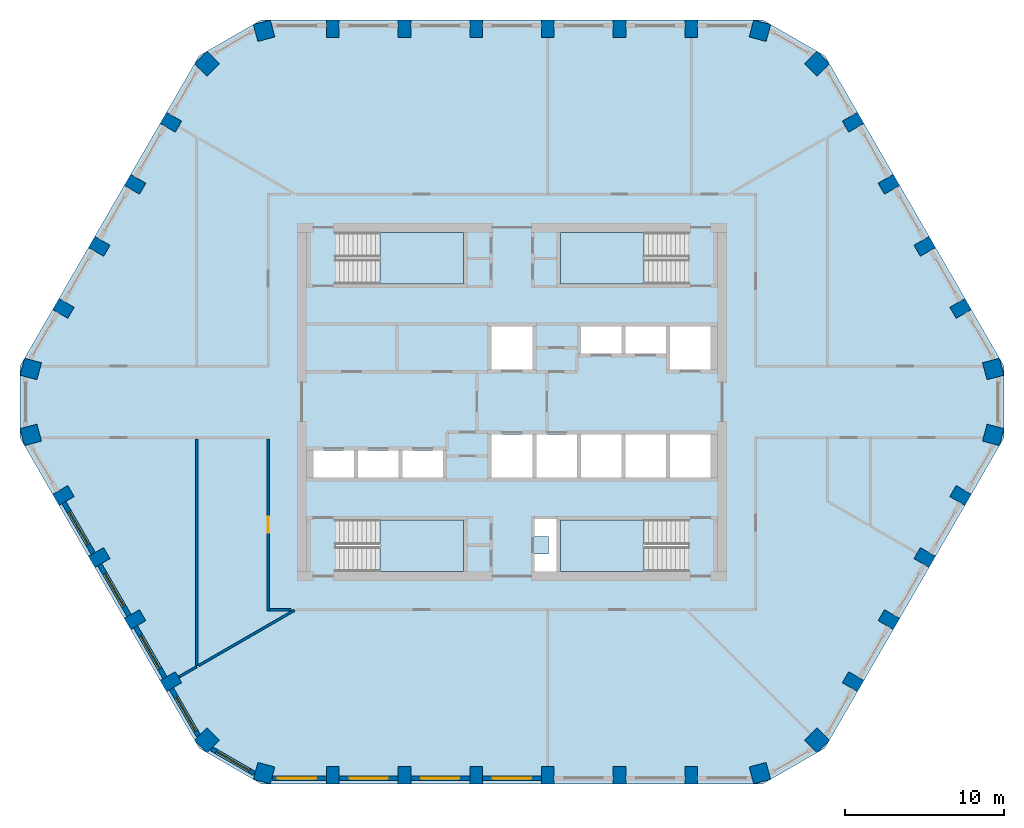
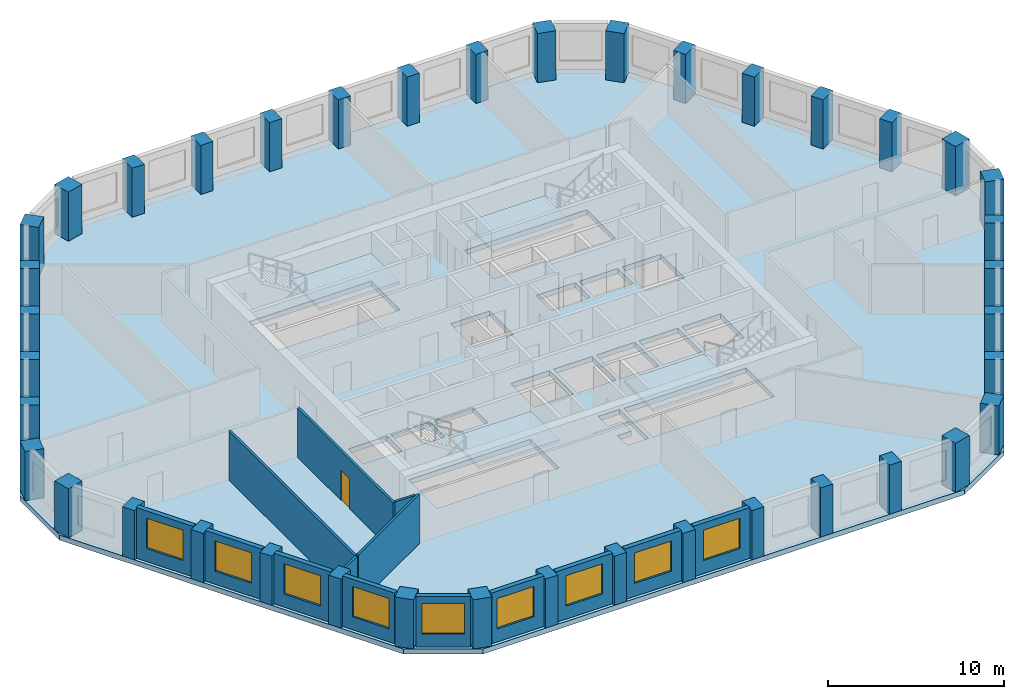
# One storey, part 1 of 8: 40 columns, 14 walls, 9 windows, 5 slabs, 1 door, 10 openings, 4 elements without a shape of their own.
"""IFC4 building model written with IfcOpenShell, lengths in metres."""

from ifc_helpers import new_model, si_unit, direction, frame, frame_2d, origin, origin_2d, place, context, subcontext, project, spatial, polyline, rectangle, outline, extrude, material, layer, layer_set, material_profile, profile_set, type_object, element, fill, aggregate, save


model = new_model("IFC4")

# Units and contexts
model_context = context("Model", 3, precision=1e-05, world=origin(), true_north=direction((0.0, 1.0)))
body_context = subcontext(model_context, "Body", "Model", "MODEL_VIEW")
ifc_project = project(units=[si_unit("LENGTHUNIT", "METRE"), si_unit("AREAUNIT", "SQUARE_METRE"), si_unit("VOLUMEUNIT", "CUBIC_METRE"), si_unit("PLANEANGLEUNIT", "RADIAN"), si_unit("MASSUNIT", "GRAM", prefix="KILO")], contexts=[model_context])

# Site, building, storey
site_placement = place(None, origin())
site = spatial("IfcSite", under=ifc_project, at=site_placement, CompositionType="ELEMENT")
building_placement = place(site_placement, origin())
building = spatial("IfcBuilding", under=site, at=building_placement, Name="Dhurran Vertical Campus", CompositionType="ELEMENT")
storey_placement = place(building_placement, frame((0.0, 0.0, 226.800048828125)))
storey = spatial("IfcBuildingStorey", under=building, at=storey_placement, Name="L56", CompositionType="ELEMENT", Elevation=226.800048828125)

# Columns
ifc_material_1 = material(Name="Concrete C50/60", Category="concrete")
ifc_material_profile_1 = material_profile(ifc_material_1, rectangle(XDim=1.10009765625, YDim=1.10009765625, at=origin_2d()), Name="RC 1100x1100")
ifc_profile_set_1 = profile_set([ifc_material_profile_1], Name="Concrete C50/60")
column_type_1 = type_object("IfcColumnType", Name="FR COL RC 1100x1100 C50/60", PredefinedType="COLUMN", material=ifc_profile_set_1)
for number, where, z_axis, x_axis, name in (
    (1, (-15.569580078125, -23.31201171875, 0.0), (0.0, 0.0, 1.0), (0.965925826289, -0.258819045103, 0.0), "Perimeter pier PP4.00"),
    (2, (15.569580078125, -23.31201171875, 0.0), (0.0, 0.0, 1.0), (0.965925826289, 0.258819045103, 0.0), "Perimeter pier PP4.07"),
    (3, (19.154052734375, -21.242431640625, 0.0), (0.0, 0.0, 1.0), (0.707106781187, 0.707106781187, 0.0), "Perimeter pier PP4.08"),
    (4, (30.223388671875, -2.069580078125, 0.0), (0.0, 0.0, 1.0), (0.258819045103, 0.965925826289, 0.0), "Perimeter pier PP4.13"),
    (5, (30.223388671875, 2.069580078125, 0.0), (0.0, 0.0, 1.0), (-0.258819045103, 0.965925826289, 0.0), "Perimeter pier PP4.14"),
    (6, (19.154052734375, 21.242431640625, 0.0), (0.0, 0.0, 1.0), (-0.707106781187, 0.707106781187, 0.0), "Perimeter pier PP4.19"),
    (7, (15.569580078125, 23.31201171875, 0.0), (0.0, 0.0, 1.0), (-0.965925826289, 0.258819045103, 0.0), "Perimeter pier PP4.20"),
    (8, (-15.569580078125, 23.31201171875, 0.0), (0.0, 0.0, 1.0), (-0.965925826289, -0.258819045103, 0.0), "Perimeter pier PP4.27"),
    (9, (-19.154052734375, 21.242431640625, 0.0), (0.0, 0.0, 1.0), (-0.707106781187, -0.707106781187, 0.0), "Perimeter pier PP4.28"),
    (10, (-30.223388671875, 2.069580078125, 0.0), (0.0, 0.0, 1.0), (-0.258819045103, -0.965925826289, 0.0), "Perimeter pier PP4.33"),
    (11, (-30.223388671875, -2.069580078125, 0.0), (0.0, 0.0, 1.0), (0.258819045103, -0.965925826289, 0.0), "Perimeter pier PP4.34"),
    (12, (-19.154052734375, -21.242431640625, 0.0), (0.0, 0.0, 1.0), (0.707106781187, -0.707106781187, 0.0), "Perimeter pier PP4.39"),
):
    element("IfcColumn", number, at=place(storey_placement, frame(where, z_axis=z_axis, x_axis=x_axis)), inside=storey, type_object=column_type_1, Name=name, PredefinedType="COLUMN", context=body_context, shape_type="SweptSolid", body=[
        extrude(rectangle(XDim=1.10009765625, YDim=1.10009765625, at=origin_2d()), origin(), (0.0, 0.0, 1.0), 3.39990234375),
    ])
ifc_material_2 = material(Name="Concrete C50/60", Category="concrete")
ifc_material_profile_2 = material_profile(ifc_material_2, rectangle(XDim=0.800048828125, YDim=1.10009765625, at=origin_2d()), Name="RC 800x1100")
ifc_profile_set_2 = profile_set([ifc_material_profile_2], Name="Concrete C50/60")
column_type_2 = type_object("IfcColumnType", Name="FR COL RC 800x1100 C50/60", PredefinedType="COLUMN", material=ifc_profile_set_2)
for number, where, z_axis, x_axis, name in (
    (13, (-11.25, -23.435546875, 0.0), (0.0, 0.0, 1.0), (1.0, 0.0, 0.0), "Perimeter pier PP4.01"),
    (14, (-6.75, -23.435546875, 0.0), (0.0, 0.0, 1.0), (1.0, 0.0, 0.0), "Perimeter pier PP4.02"),
    (15, (-2.25, -23.435546875, 0.0), (0.0, 0.0, 1.0), (1.0, 0.0, 0.0), "Perimeter pier PP4.03"),
    (16, (2.25, -23.435546875, 0.0), (0.0, 0.0, 1.0), (1.0, 0.0, 0.0), "Perimeter pier PP4.04"),
    (17, (6.75, -23.435546875, 0.0), (0.0, 0.0, 1.0), (1.0, 0.0, 0.0), "Perimeter pier PP4.05"),
    (18, (11.25, -23.435546875, 0.0), (0.0, 0.0, 1.0), (1.0, 0.0, 0.0), "Perimeter pier PP4.06"),
    (19, (21.4208984375, -17.5634765625, 0.0), (0.0, 0.0, 1.0), (0.5, 0.866025403784, 0.0), "Perimeter pier PP4.09"),
    (20, (23.6708984375, -13.666259765625, 0.0), (0.0, 0.0, 1.0), (0.5, 0.866025403784, 0.0), "Perimeter pier PP4.10"),
    (21, (25.9208984375, -9.769287109375, 0.0), (0.0, 0.0, 1.0), (0.5, 0.866025403784, 0.0), "Perimeter pier PP4.11"),
    (22, (28.1708984375, -5.8720703125, 0.0), (0.0, 0.0, 1.0), (0.5, 0.866025403784, 0.0), "Perimeter pier PP4.12"),
    (23, (28.1708984375, 5.8720703125, 0.0), (0.0, 0.0, 1.0), (-0.5, 0.866025403784, 0.0), "Perimeter pier PP4.15"),
    (24, (25.9208984375, 9.769287109375, 0.0), (0.0, 0.0, 1.0), (-0.5, 0.866025403784, 0.0), "Perimeter pier PP4.16"),
    (25, (23.6708984375, 13.666259765625, 0.0), (0.0, 0.0, 1.0), (-0.5, 0.866025403784, 0.0), "Perimeter pier PP4.17"),
    (26, (21.4208984375, 17.5634765625, 0.0), (0.0, 0.0, 1.0), (-0.5, 0.866025403784, 0.0), "Perimeter pier PP4.18"),
    (27, (11.25, 23.435546875, 0.0), (0.0, 0.0, 1.0), (-1.0, 0.0, 0.0), "Perimeter pier PP4.21"),
    (28, (6.75, 23.435546875, 0.0), (0.0, 0.0, 1.0), (-1.0, 0.0, 0.0), "Perimeter pier PP4.22"),
    (29, (2.25, 23.435546875, 0.0), (0.0, 0.0, 1.0), (-1.0, 0.0, 0.0), "Perimeter pier PP4.23"),
    (30, (-2.25, 23.435546875, 0.0), (0.0, 0.0, 1.0), (-1.0, 0.0, 0.0), "Perimeter pier PP4.24"),
    (31, (-6.75, 23.435546875, 0.0), (0.0, 0.0, 1.0), (-1.0, 0.0, 0.0), "Perimeter pier PP4.25"),
    (32, (-11.25, 23.435546875, 0.0), (0.0, 0.0, 1.0), (-1.0, 0.0, 0.0), "Perimeter pier PP4.26"),
    (33, (-21.4208984375, 17.5634765625, 0.0), (0.0, 0.0, 1.0), (-0.5, -0.866025403784, 0.0), "Perimeter pier PP4.29"),
    (34, (-23.6708984375, 13.666259765625, 0.0), (0.0, 0.0, 1.0), (-0.5, -0.866025403784, 0.0), "Perimeter pier PP4.30"),
    (35, (-25.9208984375, 9.769287109375, 0.0), (0.0, 0.0, 1.0), (-0.5, -0.866025403784, 0.0), "Perimeter pier PP4.31"),
    (36, (-28.1708984375, 5.8720703125, 0.0), (0.0, 0.0, 1.0), (-0.5, -0.866025403784, 0.0), "Perimeter pier PP4.32"),
    (37, (-28.1708984375, -5.8720703125, 0.0), (0.0, 0.0, 1.0), (0.5, -0.866025403784, 0.0), "Perimeter pier PP4.35"),
    (38, (-25.9208984375, -9.769287109375, 0.0), (0.0, 0.0, 1.0), (0.5, -0.866025403784, 0.0), "Perimeter pier PP4.36"),
    (39, (-23.6708984375, -13.666259765625, 0.0), (0.0, 0.0, 1.0), (0.5, -0.866025403784, 0.0), "Perimeter pier PP4.37"),
    (40, (-21.4208984375, -17.5634765625, 0.0), (0.0, 0.0, 1.0), (0.5, -0.866025403784, 0.0), "Perimeter pier PP4.38"),
):
    element("IfcColumn", number, at=place(storey_placement, frame(where, z_axis=z_axis, x_axis=x_axis)), inside=storey, type_object=column_type_2, Name=name, PredefinedType="COLUMN", context=body_context, shape_type="SweptSolid", body=[
        extrude(rectangle(XDim=0.800048828125, YDim=1.10009765625, at=origin_2d()), origin(), (0.0, 0.0, 1.0), 3.39990234375),
    ])

# Slab
ifc_material_3 = material(Name="Concrete C40/50", Category="concrete")
ifc_layer_1 = layer(ifc_material_3, 0.35009765625)
ifc_layer_set_1 = layer_set([ifc_layer_1], Name="Concrete C40/50")
slab_type_1 = type_object("IfcSlabType", Name="FR POST-TENSIONED FLAT SLAB 350", PredefinedType="FLOOR", material=ifc_layer_set_1)
slab_1_placement = place(storey_placement, frame((0.0, 0.0, -0.35009765625)))
element("IfcSlab", 41, at=slab_1_placement, inside=storey, type_object=slab_type_1, Name="Floor slab L56", PredefinedType="FLOOR", context=body_context, shape_type="SweptSolid", body=[
    extrude(outline(polyline([(-15.75, -23.985595703125), (15.75, -23.985595703125), (19.647216796875, -21.735595703125), (30.897216796875, -2.25), (30.897216796875, 2.25), (19.647216796875, 21.735595703125), (15.75, 23.985595703125), (-15.75, 23.985595703125), (-19.647216796875, 21.735595703125), (-30.897216796875, 2.25), (-30.897216796875, -2.25), (-19.647216796875, -21.735595703125), (-15.75, -23.985595703125)]), holes=[polyline([(-1.27490234375, 2.050048828125), (1.27490234375, 2.050048828125), (1.27490234375, 4.75), (-1.27490234375, 4.75), (-1.27490234375, 2.050048828125)]), polyline([(9.925048828125, 2.050048828125), (12.47509765625, 2.050048828125), (12.47509765625, 4.75), (9.925048828125, 4.75), (9.925048828125, 2.050048828125)]), polyline([(-1.27490234375, -4.75), (1.27490234375, -4.75), (1.27490234375, -2.050048828125), (-1.27490234375, -2.050048828125), (-1.27490234375, -4.75)]), polyline([(1.52490234375, -4.75), (4.074951171875, -4.75), (4.074951171875, -2.050048828125), (1.52490234375, -2.050048828125), (1.52490234375, -4.75)]), polyline([(4.324951171875, -4.75), (6.875, -4.75), (6.875, -2.050048828125), (4.324951171875, -2.050048828125), (4.324951171875, -4.75)]), polyline([(7.125, -4.75), (9.675048828125, -4.75), (9.675048828125, -2.050048828125), (7.125, -2.050048828125), (7.125, -4.75)]), polyline([(9.925048828125, -4.75), (12.47509765625, -4.75), (12.47509765625, -2.050048828125), (9.925048828125, -2.050048828125), (9.925048828125, -4.75)]), polyline([(4.324951171875, 3.050048828125), (6.875, 3.050048828125), (6.875, 4.75), (4.324951171875, 4.75), (4.324951171875, 3.050048828125)]), polyline([(7.125, 3.050048828125), (9.675048828125, 3.050048828125), (9.675048828125, 4.75), (7.125, 4.75), (7.125, 3.050048828125)]), polyline([(-12.47509765625, -4.75), (-9.925048828125, -4.75), (-9.925048828125, -3.050048828125), (-12.47509765625, -3.050048828125), (-12.47509765625, -4.75)]), polyline([(-9.675048828125, -4.75), (-7.125, -4.75), (-7.125, -3.050048828125), (-9.675048828125, -3.050048828125), (-9.675048828125, -4.75)]), polyline([(-6.875, -4.75), (-4.324951171875, -4.75), (-4.324951171875, -3.050048828125), (-6.875, -3.050048828125), (-6.875, -4.75)]), polyline([(-11.050048828125, 7.39990234375), (-3.050048828125, 7.39990234375), (-3.050048828125, 10.64990234375), (-11.050048828125, 10.64990234375), (-11.050048828125, 7.39990234375)]), polyline([(3.050048828125, 7.39990234375), (11.050048828125, 7.39990234375), (11.050048828125, 10.64990234375), (3.050048828125, 10.64990234375), (3.050048828125, 7.39990234375)]), polyline([(-11.050048828125, -10.64990234375), (-3.050048828125, -10.64990234375), (-3.050048828125, -7.39990234375), (-11.050048828125, -7.39990234375), (-11.050048828125, -10.64990234375)]), polyline([(3.050048828125, -10.64990234375), (11.050048828125, -10.64990234375), (11.050048828125, -7.39990234375), (3.050048828125, -7.39990234375), (3.050048828125, -10.64990234375)]), polyline([(2.800048828125, -10.64990234375), (1.39990234375, -10.64990234375), (1.39990234375, -9.550048828125), (2.300048828125, -9.550048828125), (2.300048828125, -8.449951171875), (1.39990234375, -8.449951171875), (1.39990234375, -7.35009765625), (2.800048828125, -7.35009765625), (2.800048828125, -10.64990234375)])]), origin(), (0.0, 0.0, 1.0), 0.35009765625),
])

# Stair, slab
ifc_material_4 = material(Name="Concrete C40/50", Category="concrete")
stair_type = type_object("IfcStairType", Name="co-ST-CORE", PredefinedType="HALF_TURN_STAIR", material=ifc_material_4)
stair_1_placement = place(storey_placement, origin())
stair_1 = element("IfcStair", 42, at=stair_1_placement, inside=storey, type_object=stair_type, Name="L56 Protected exit stair ST1", PredefinedType="HALF_TURN_STAIR")
ifc_material_5 = material(Name="Concrete C40/50", Category="concrete")
ifc_layer_2 = layer(ifc_material_5, 0.199951171875)
ifc_layer_set_2 = layer_set([ifc_layer_2], Name="Concrete C40/50")
slab_type_2 = type_object("IfcSlabType", Name="co-SL-LANDING", PredefinedType="LANDING", material=ifc_layer_set_2)
slab_2_placement = place(storey_placement, frame((0.0, 0.0, 1.75)))
slab_2 = element("IfcSlab", 43, at=slab_2_placement, type_object=slab_type_2, Name="ST1 landing 1", PredefinedType="LANDING", context=body_context, shape_type="SweptSolid", body=[
    extrude(outline(polyline([(-8.300048828125, 7.39990234375), (-3.050048828125, 7.39990234375), (-3.050048828125, 10.64990234375), (-8.300048828125, 10.64990234375), (-8.300048828125, 7.39990234375)])), origin(), (0.0, 0.0, 1.0), 0.199951171875),
])
aggregate(stair_1, [slab_2])

stair_2_placement = place(storey_placement, origin())
stair_2 = element("IfcStair", 44, at=stair_2_placement, inside=storey, type_object=stair_type, Name="L56 Protected exit stair ST2", PredefinedType="HALF_TURN_STAIR")
slab_3_placement = place(storey_placement, frame((0.0, 0.0, 1.75)))
slab_3 = element("IfcSlab", 45, at=slab_3_placement, type_object=slab_type_2, Name="ST2 landing 1", PredefinedType="LANDING", context=body_context, shape_type="SweptSolid", body=[
    extrude(outline(polyline([(8.300048828125, 10.64990234375), (3.050048828125, 10.64990234375), (3.050048828125, 7.39990234375), (8.300048828125, 7.39990234375), (8.300048828125, 10.64990234375)])), origin(), (0.0, 0.0, 1.0), 0.199951171875),
])
aggregate(stair_2, [slab_3])

stair_3_placement = place(storey_placement, origin())
stair_3 = element("IfcStair", 46, at=stair_3_placement, inside=storey, type_object=stair_type, Name="L56 Protected exit stair ST3", PredefinedType="HALF_TURN_STAIR")
slab_4_placement = place(storey_placement, frame((0.0, 0.0, 1.75)))
slab_4 = element("IfcSlab", 47, at=slab_4_placement, type_object=slab_type_2, Name="ST3 landing 1", PredefinedType="LANDING", context=body_context, shape_type="SweptSolid", body=[
    extrude(outline(polyline([(-8.300048828125, -10.64990234375), (-3.050048828125, -10.64990234375), (-3.050048828125, -7.39990234375), (-8.300048828125, -7.39990234375), (-8.300048828125, -10.64990234375)])), origin(), (0.0, 0.0, 1.0), 0.199951171875),
])
aggregate(stair_3, [slab_4])

stair_4_placement = place(storey_placement, origin())
stair_4 = element("IfcStair", 48, at=stair_4_placement, inside=storey, type_object=stair_type, Name="L56 Protected exit stair ST4", PredefinedType="HALF_TURN_STAIR")
slab_5_placement = place(storey_placement, frame((0.0, 0.0, 1.75)))
slab_5 = element("IfcSlab", 49, at=slab_5_placement, type_object=slab_type_2, Name="ST4 landing 1", PredefinedType="LANDING", context=body_context, shape_type="SweptSolid", body=[
    extrude(outline(polyline([(8.300048828125, -7.39990234375), (3.050048828125, -7.39990234375), (3.050048828125, -10.64990234375), (8.300048828125, -10.64990234375), (8.300048828125, -7.39990234375)])), origin(), (0.0, 0.0, 1.0), 0.199951171875),
])
aggregate(stair_4, [slab_5])

# Wall, opening, window
ifc_material_6 = material(Name="Precast concrete C50/60", Category="concrete")
ifc_layer_3 = layer(ifc_material_6, 0.300048828125)
ifc_layer_set_3 = layer_set([ifc_layer_3], Name="Precast concrete C50/60")
wall_type_1 = type_object("IfcWallType", Name="Precast spandrel wall 300", PredefinedType="SOLIDWALL", material=ifc_layer_set_3)
wall_1_placement = place(storey_placement, frame((-15.04638671875, -23.635498046875, 0.0), z_axis=(0.0, 0.0, 1.0), x_axis=(1.0, 0.0, 0.0)))
wall_1 = element("IfcWall", 50, at=wall_1_placement, inside=storey, type_object=wall_type_1, Name="EW1 L56.00", PredefinedType="SOLIDWALL", context=body_context, shape_type="SweptSolid", body=[
    extrude(rectangle(XDim=3.39599609375, YDim=0.300048828125, at=frame_2d((1.697998046875, 0.0))), origin(), (0.0, 0.0, 1.0), 3.5),
])
opening_1_placement = place(wall_1_placement, frame((0.34619140625, 0.0, 0.89990234375)))
opening_1 = element("IfcOpeningElement", 51, at=opening_1_placement, cuts=wall_1, Name="Opening WT1", PredefinedType="OPENING", context=body_context, shape_type="SweptSolid", body=[
    extrude(rectangle(XDim=2.39990234375, YDim=2.10009765625, at=frame_2d((1.199951171875, 1.050048828125))), frame((0.0, 0.159912109375, 0.0), z_axis=(0.0, -1.0, 0.0), x_axis=(1.0, 0.0, 0.0)), (0.0, 0.0, 1.0), 0.320068359375),
])
ifc_material_7 = material(Name="Aluminium frame with solar-control glass", Category="aluminium")
window_type = type_object("IfcWindowType", Name="Punched window 2400 x 2100", PartitioningType="SINGLE_PANEL", PredefinedType="WINDOW", material=ifc_material_7)
window_1_placement = place(opening_1_placement, origin())
window_1 = element("IfcWindow", 52, at=window_1_placement, inside=storey, type_object=window_type, Name="WT1 L56.00", OverallHeight=2.10009765625, OverallWidth=2.39990234375, PartitioningType="SINGLE_PANEL", PredefinedType="WINDOW", context=body_context, shape_type="SweptSolid", body=[
    extrude(rectangle(XDim=2.39990234375, YDim=2.10009765625, at=frame_2d((1.199951171875, 1.050048828125))), frame((0.0, 0.030029296875, 0.0), z_axis=(0.0, -1.0, 0.0), x_axis=(1.0, 0.0, 0.0)), (0.0, 0.0, 1.0), 0.06005859375),
])
fill(opening_1, window_1)

wall_2_placement = place(storey_placement, frame((-10.849609375, -23.635498046875, 0.0), z_axis=(0.0, 0.0, 1.0), x_axis=(1.0, 0.0, 0.0)))
wall_2 = element("IfcWall", 53, at=wall_2_placement, inside=storey, type_object=wall_type_1, Name="EW1 L56.01", PredefinedType="SOLIDWALL", context=body_context, shape_type="SweptSolid", body=[
    extrude(rectangle(XDim=3.69921875, YDim=0.300048828125, at=frame_2d((1.849609375, 0.0))), origin(), (0.0, 0.0, 1.0), 3.5),
])
opening_2_placement = place(wall_2_placement, frame((0.6494140625, 0.0, 0.89990234375)))
opening_2 = element("IfcOpeningElement", 54, at=opening_2_placement, cuts=wall_2, Name="Opening WT1", PredefinedType="OPENING", context=body_context, shape_type="SweptSolid", body=[
    extrude(rectangle(XDim=2.39990234375, YDim=2.10009765625, at=frame_2d((1.199951171875, 1.050048828125))), frame((0.0, 0.159912109375, 0.0), z_axis=(0.0, -1.0, 0.0), x_axis=(1.0, 0.0, 0.0)), (0.0, 0.0, 1.0), 0.320068359375),
])
window_2_placement = place(opening_2_placement, origin())
window_2 = element("IfcWindow", 55, at=window_2_placement, inside=storey, type_object=window_type, Name="WT1 L56.01", OverallHeight=2.10009765625, OverallWidth=2.39990234375, PartitioningType="SINGLE_PANEL", PredefinedType="WINDOW", context=body_context, shape_type="SweptSolid", body=[
    extrude(rectangle(XDim=2.39990234375, YDim=2.10009765625, at=frame_2d((1.199951171875, 1.050048828125))), frame((0.0, 0.030029296875, 0.0), z_axis=(0.0, -1.0, 0.0), x_axis=(1.0, 0.0, 0.0)), (0.0, 0.0, 1.0), 0.06005859375),
])
fill(opening_2, window_2)

wall_3_placement = place(storey_placement, frame((-6.349609375, -23.635498046875, 0.0), z_axis=(0.0, 0.0, 1.0), x_axis=(1.0, 0.0, 0.0)))
wall_3 = element("IfcWall", 56, at=wall_3_placement, inside=storey, type_object=wall_type_1, Name="EW1 L56.02", PredefinedType="SOLIDWALL", context=body_context, shape_type="SweptSolid", body=[
    extrude(rectangle(XDim=3.69921875, YDim=0.300048828125, at=frame_2d((1.849609375, 0.0))), origin(), (0.0, 0.0, 1.0), 3.5),
])
opening_3_placement = place(wall_3_placement, frame((0.6494140625, 0.0, 0.89990234375)))
opening_3 = element("IfcOpeningElement", 57, at=opening_3_placement, cuts=wall_3, Name="Opening WT1", PredefinedType="OPENING", context=body_context, shape_type="SweptSolid", body=[
    extrude(rectangle(XDim=2.39990234375, YDim=2.10009765625, at=frame_2d((1.199951171875, 1.050048828125))), frame((0.0, 0.159912109375, 0.0), z_axis=(0.0, -1.0, 0.0), x_axis=(1.0, 0.0, 0.0)), (0.0, 0.0, 1.0), 0.320068359375),
])
window_3_placement = place(opening_3_placement, origin())
window_3 = element("IfcWindow", 58, at=window_3_placement, inside=storey, type_object=window_type, Name="WT1 L56.02", OverallHeight=2.10009765625, OverallWidth=2.39990234375, PartitioningType="SINGLE_PANEL", PredefinedType="WINDOW", context=body_context, shape_type="SweptSolid", body=[
    extrude(rectangle(XDim=2.39990234375, YDim=2.10009765625, at=frame_2d((1.199951171875, 1.050048828125))), frame((0.0, 0.030029296875, 0.0), z_axis=(0.0, -1.0, 0.0), x_axis=(1.0, 0.0, 0.0)), (0.0, 0.0, 1.0), 0.06005859375),
])
fill(opening_3, window_3)

wall_4_placement = place(storey_placement, frame((-1.849609375, -23.635498046875, 0.0), z_axis=(0.0, 0.0, 1.0), x_axis=(1.0, 0.0, 0.0)))
wall_4 = element("IfcWall", 59, at=wall_4_placement, inside=storey, type_object=wall_type_1, Name="EW1 L56.03", PredefinedType="SOLIDWALL", context=body_context, shape_type="SweptSolid", body=[
    extrude(rectangle(XDim=3.69921875, YDim=0.300048828125, at=frame_2d((1.849609375, 0.0))), origin(), (0.0, 0.0, 1.0), 3.5),
])
opening_4_placement = place(wall_4_placement, frame((0.6494140625, 0.0, 0.89990234375)))
opening_4 = element("IfcOpeningElement", 60, at=opening_4_placement, cuts=wall_4, Name="Opening WT1", PredefinedType="OPENING", context=body_context, shape_type="SweptSolid", body=[
    extrude(rectangle(XDim=2.39990234375, YDim=2.10009765625, at=frame_2d((1.199951171875, 1.050048828125))), frame((0.0, 0.159912109375, 0.0), z_axis=(0.0, -1.0, 0.0), x_axis=(1.0, 0.0, 0.0)), (0.0, 0.0, 1.0), 0.320068359375),
])
window_4_placement = place(opening_4_placement, origin())
window_4 = element("IfcWindow", 61, at=window_4_placement, inside=storey, type_object=window_type, Name="WT1 L56.03", OverallHeight=2.10009765625, OverallWidth=2.39990234375, PartitioningType="SINGLE_PANEL", PredefinedType="WINDOW", context=body_context, shape_type="SweptSolid", body=[
    extrude(rectangle(XDim=2.39990234375, YDim=2.10009765625, at=frame_2d((1.199951171875, 1.050048828125))), frame((0.0, 0.030029296875, 0.0), z_axis=(0.0, -1.0, 0.0), x_axis=(1.0, 0.0, 0.0)), (0.0, 0.0, 1.0), 0.06005859375),
])
fill(opening_4, window_4)

wall_5_placement = place(storey_placement, frame((-28.143798828125, -6.319091796875, 0.0), z_axis=(0.0, 0.0, 1.0), x_axis=(0.500029062817, -0.866008623709, 0.0)))
wall_5 = element("IfcWall", 62, at=wall_5_placement, inside=storey, type_object=wall_type_1, Name="EW1 L56.35", PredefinedType="SOLIDWALL", context=body_context, shape_type="SweptSolid", body=[
    extrude(rectangle(XDim=3.698974609375, YDim=0.300048828125, at=frame_2d((1.849609375, 0.0))), origin(), (0.0, 0.0, 1.0), 3.5),
])
opening_5_placement = place(wall_5_placement, frame((0.6494140625, 0.0, 0.89990234375)))
opening_5 = element("IfcOpeningElement", 63, at=opening_5_placement, cuts=wall_5, Name="Opening WT1", PredefinedType="OPENING", context=body_context, shape_type="SweptSolid", body=[
    extrude(rectangle(XDim=2.39990234375, YDim=2.10009765625, at=frame_2d((1.199951171875, 1.050048828125))), frame((0.0, 0.159912109375, 0.0), z_axis=(0.0, -1.0, 0.0), x_axis=(1.0, 0.0, 0.0)), (0.0, 0.0, 1.0), 0.320068359375),
])
window_5_placement = place(opening_5_placement, origin())
window_5 = element("IfcWindow", 64, at=window_5_placement, inside=storey, type_object=window_type, Name="WT1 L56.35", OverallHeight=2.10009765625, OverallWidth=2.39990234375, PartitioningType="SINGLE_PANEL", PredefinedType="WINDOW", context=body_context, shape_type="SweptSolid", body=[
    extrude(rectangle(XDim=2.39990234375, YDim=2.10009765625, at=frame_2d((1.199951171875, 1.050048828125))), frame((0.0, 0.030029296875, 0.0), z_axis=(0.0, -1.0, 0.0), x_axis=(1.0, 0.0, 0.0)), (0.0, 0.0, 1.0), 0.06005859375),
])
fill(opening_5, window_5)

wall_6_placement = place(storey_placement, frame((-25.893798828125, -10.216064453125, 0.0), z_axis=(0.0, 0.0, 1.0), x_axis=(0.500029062817, -0.866008623709, 0.0)))
wall_6 = element("IfcWall", 65, at=wall_6_placement, inside=storey, type_object=wall_type_1, Name="EW1 L56.36", PredefinedType="SOLIDWALL", context=body_context, shape_type="SweptSolid", body=[
    extrude(rectangle(XDim=3.698974609375, YDim=0.300048828125, at=frame_2d((1.849609375, 0.0))), origin(), (0.0, 0.0, 1.0), 3.5),
])
opening_6_placement = place(wall_6_placement, frame((0.6494140625, 0.0, 0.89990234375)))
opening_6 = element("IfcOpeningElement", 66, at=opening_6_placement, cuts=wall_6, Name="Opening WT1", PredefinedType="OPENING", context=body_context, shape_type="SweptSolid", body=[
    extrude(rectangle(XDim=2.39990234375, YDim=2.10009765625, at=frame_2d((1.199951171875, 1.050048828125))), frame((0.0, 0.159912109375, 0.0), z_axis=(0.0, -1.0, 0.0), x_axis=(1.0, 0.0, 0.0)), (0.0, 0.0, 1.0), 0.320068359375),
])
window_6_placement = place(opening_6_placement, origin())
window_6 = element("IfcWindow", 67, at=window_6_placement, inside=storey, type_object=window_type, Name="WT1 L56.36", OverallHeight=2.10009765625, OverallWidth=2.39990234375, PartitioningType="SINGLE_PANEL", PredefinedType="WINDOW", context=body_context, shape_type="SweptSolid", body=[
    extrude(rectangle(XDim=2.39990234375, YDim=2.10009765625, at=frame_2d((1.199951171875, 1.050048828125))), frame((0.0, 0.030029296875, 0.0), z_axis=(0.0, -1.0, 0.0), x_axis=(1.0, 0.0, 0.0)), (0.0, 0.0, 1.0), 0.06005859375),
])
fill(opening_6, window_6)

wall_7_placement = place(storey_placement, frame((-23.643798828125, -14.11328125, 0.0), z_axis=(0.0, 0.0, 1.0), x_axis=(0.500029062817, -0.866008623709, 0.0)))
wall_7 = element("IfcWall", 68, at=wall_7_placement, inside=storey, type_object=wall_type_1, Name="EW1 L56.37", PredefinedType="SOLIDWALL", context=body_context, shape_type="SweptSolid", body=[
    extrude(rectangle(XDim=3.698974609375, YDim=0.300048828125, at=frame_2d((1.849609375, 0.0))), origin(), (0.0, 0.0, 1.0), 3.5),
])
opening_7_placement = place(wall_7_placement, frame((0.6494140625, 0.0, 0.89990234375)))
opening_7 = element("IfcOpeningElement", 69, at=opening_7_placement, cuts=wall_7, Name="Opening WT1", PredefinedType="OPENING", context=body_context, shape_type="SweptSolid", body=[
    extrude(rectangle(XDim=2.39990234375, YDim=2.10009765625, at=frame_2d((1.199951171875, 1.050048828125))), frame((0.0, 0.159912109375, 0.0), z_axis=(0.0, -1.0, 0.0), x_axis=(1.0, 0.0, 0.0)), (0.0, 0.0, 1.0), 0.320068359375),
])
window_7_placement = place(opening_7_placement, origin())
window_7 = element("IfcWindow", 70, at=window_7_placement, inside=storey, type_object=window_type, Name="WT1 L56.37", OverallHeight=2.10009765625, OverallWidth=2.39990234375, PartitioningType="SINGLE_PANEL", PredefinedType="WINDOW", context=body_context, shape_type="SweptSolid", body=[
    extrude(rectangle(XDim=2.39990234375, YDim=2.10009765625, at=frame_2d((1.199951171875, 1.050048828125))), frame((0.0, 0.030029296875, 0.0), z_axis=(0.0, -1.0, 0.0), x_axis=(1.0, 0.0, 0.0)), (0.0, 0.0, 1.0), 0.06005859375),
])
fill(opening_7, window_7)

wall_8_placement = place(storey_placement, frame((-21.393798828125, -18.01025390625, 0.0), z_axis=(0.0, 0.0, 1.0), x_axis=(0.500012868213, -0.866017974191, 0.0)))
wall_8 = element("IfcWall", 71, at=wall_8_placement, inside=storey, type_object=wall_type_1, Name="EW1 L56.38", PredefinedType="SOLIDWALL", context=body_context, shape_type="SweptSolid", body=[
    extrude(rectangle(XDim=3.39599609375, YDim=0.300048828125, at=frame_2d((1.697998046875, 0.0))), origin(), (0.0, 0.0, 1.0), 3.5),
])
opening_8_placement = place(wall_8_placement, frame((0.6494140625, 0.0, 0.89990234375)))
opening_8 = element("IfcOpeningElement", 72, at=opening_8_placement, cuts=wall_8, Name="Opening WT1", PredefinedType="OPENING", context=body_context, shape_type="SweptSolid", body=[
    extrude(rectangle(XDim=2.39990234375, YDim=2.10009765625, at=frame_2d((1.199951171875, 1.050048828125))), frame((0.0, 0.159912109375, 0.0), z_axis=(0.0, -1.0, 0.0), x_axis=(1.0, 0.0, 0.0)), (0.0, 0.0, 1.0), 0.320068359375),
])
window_8_placement = place(opening_8_placement, origin())
window_8 = element("IfcWindow", 73, at=window_8_placement, inside=storey, type_object=window_type, Name="WT1 L56.38", OverallHeight=2.10009765625, OverallWidth=2.39990234375, PartitioningType="SINGLE_PANEL", PredefinedType="WINDOW", context=body_context, shape_type="SweptSolid", body=[
    extrude(rectangle(XDim=2.39990234375, YDim=2.10009765625, at=frame_2d((1.199951171875, 1.050048828125))), frame((0.0, 0.030029296875, 0.0), z_axis=(0.0, -1.0, 0.0), x_axis=(1.0, 0.0, 0.0)), (0.0, 0.0, 1.0), 0.06005859375),
])
fill(opening_8, window_8)

wall_9_placement = place(storey_placement, frame((-18.86279296875, -21.7841796875, 0.0), z_axis=(0.0, 0.0, 1.0), x_axis=(0.865994975416, -0.500052699777, 0.0)))
wall_9 = element("IfcWall", 74, at=wall_9_placement, inside=storey, type_object=wall_type_1, Name="EW1 L56.39", PredefinedType="SOLIDWALL", context=body_context, shape_type="SweptSolid", body=[
    extrude(rectangle(XDim=3.093017578125, YDim=0.300048828125, at=frame_2d((1.54638671875, 0.0))), origin(), (0.0, 0.0, 1.0), 3.5),
])
opening_9_placement = place(wall_9_placement, frame((0.34619140625, 0.0, 0.89990234375)))
opening_9 = element("IfcOpeningElement", 75, at=opening_9_placement, cuts=wall_9, Name="Opening WT1", PredefinedType="OPENING", context=body_context, shape_type="SweptSolid", body=[
    extrude(rectangle(XDim=2.39990234375, YDim=2.10009765625, at=frame_2d((1.199951171875, 1.050048828125))), frame((0.0, 0.159912109375, 0.0), z_axis=(0.0, -1.0, 0.0), x_axis=(1.0, 0.0, 0.0)), (0.0, 0.0, 1.0), 0.320068359375),
])
window_9_placement = place(opening_9_placement, origin())
window_9 = element("IfcWindow", 76, at=window_9_placement, inside=storey, type_object=window_type, Name="WT1 L56.39", OverallHeight=2.10009765625, OverallWidth=2.39990234375, PartitioningType="SINGLE_PANEL", PredefinedType="WINDOW", context=body_context, shape_type="SweptSolid", body=[
    extrude(rectangle(XDim=2.39990234375, YDim=2.10009765625, at=frame_2d((1.199951171875, 1.050048828125))), frame((0.0, 0.030029296875, 0.0), z_axis=(0.0, -1.0, 0.0), x_axis=(1.0, 0.0, 0.0)), (0.0, 0.0, 1.0), 0.06005859375),
])
fill(opening_9, window_9)

# Wall, opening, door
ifc_material_8 = material(Name="Gypsum board corridor wall on steel studs", Category="steel")
ifc_layer_4 = layer(ifc_material_8, 0.14990234375)
ifc_layer_set_4 = layer_set([ifc_layer_4], Name="Gypsum board corridor wall on steel studs")
wall_type_2 = type_object("IfcWallType", Name="fl-CW-150 corridor wall", PredefinedType="PARTITIONING", material=ifc_layer_set_4)
wall_10_placement = place(storey_placement, frame((-15.300048828125, -2.324951171875, 0.0), z_axis=(0.0, 0.0, 1.0), x_axis=(0.0, -1.0, 0.0)))
wall_10 = element("IfcWall", 77, at=wall_10_placement, inside=storey, type_object=wall_type_2, Name="Partition 56-11", PredefinedType="PARTITIONING", context=body_context, shape_type="SweptSolid", body=[
    extrude(rectangle(XDim=10.800048828125, YDim=0.14990234375, at=frame_2d((5.39990234375, 0.0))), origin(), (0.0, 0.0, 1.0), 3.39990234375),
])
opening_10_placement = place(wall_10_placement, frame((4.89990234375, 0.0, 0.0)))
opening_10 = element("IfcOpeningElement", 78, at=opening_10_placement, cuts=wall_10, Name="Opening T16.03", PredefinedType="OPENING", context=body_context, shape_type="SweptSolid", body=[
    extrude(rectangle(XDim=1.0, YDim=2.10009765625, at=frame_2d((0.5, 1.050048828125))), frame((0.0, 0.0849609375, 0.0), z_axis=(0.0, -1.0, 0.0), x_axis=(1.0, 0.0, 0.0)), (0.0, 0.0, 1.0), 0.169921875),
])
ifc_material_9 = material(Name="Solid-core timber door set, fire-rated", Category="wood")
door_type = type_object("IfcDoorType", Name="fl-D-1000x2100", OperationType="SINGLE_SWING_LEFT", PredefinedType="DOOR", material=ifc_material_9)
door_placement = place(opening_10_placement, origin())
door = element("IfcDoor", 79, at=door_placement, inside=storey, type_object=door_type, Name="Door 56.03", OperationType="SINGLE_SWING_RIGHT", OverallHeight=2.10009765625, OverallWidth=1.0, PredefinedType="DOOR", context=body_context, shape_type="SweptSolid", body=[
    extrude(rectangle(XDim=1.0, YDim=2.10009765625, at=frame_2d((0.5, 1.050048828125))), frame((0.0, 0.02490234375, 0.0), z_axis=(0.0, -1.0, 0.0), x_axis=(1.0, 0.0, 0.0)), (0.0, 0.0, 1.0), 0.050048828125),
])
fill(opening_10, door)

# Walls
wall_11_placement = place(storey_placement, frame((-15.22509765625, -13.050048828125, 0.0), z_axis=(0.0, 0.0, 1.0), x_axis=(1.0, 0.0, 0.0)))
element("IfcWall", 80, at=wall_11_placement, inside=storey, type_object=wall_type_2, Name="Partition 56-12", PredefinedType="PARTITIONING", context=body_context, shape_type="SweptSolid", body=[
    extrude(rectangle(XDim=1.34716796875, YDim=0.14990234375, at=frame_2d((0.673583984375, 0.0))), origin(), (0.0, 0.0, 1.0), 3.39990234375),
])
ifc_material_10 = material(Name="Gypsum board partition on steel studs", Category="steel")
ifc_layer_5 = layer(ifc_material_10, 0.14990234375)
ifc_layer_set_5 = layer_set([ifc_layer_5], Name="Gypsum board partition on steel studs")
wall_type_3 = type_object("IfcWallType", Name="fl-PW-150 fixed partition", PredefinedType="PARTITIONING", material=ifc_layer_set_5)
wall_12_placement = place(storey_placement, frame((-19.800048828125, -16.6279296875, 0.0), z_axis=(0.0, 0.0, 1.0), x_axis=(-0.866157475642, -0.499771175029, 0.0)))
element("IfcWall", 81, at=wall_12_placement, inside=storey, type_object=wall_type_3, Name="Partition 56-03", PredefinedType="PARTITIONING", context=body_context, shape_type="SweptSolid", body=[
    extrude(rectangle(XDim=1.30126953125, YDim=0.14990234375, at=frame_2d((0.650634765625, 0.0))), origin(), (0.0, 0.0, 1.0), 3.39990234375),
])
wall_13_placement = place(storey_placement, frame((-19.800048828125, -2.324951171875, 0.0), z_axis=(0.0, 0.0, 1.0), x_axis=(0.0, -1.0, 0.0)))
element("IfcWall", 82, at=wall_13_placement, inside=storey, type_object=wall_type_3, Name="Partition 56-05", PredefinedType="PARTITIONING", context=body_context, shape_type="SweptSolid", body=[
    extrude(rectangle(XDim=14.22802734375, YDim=0.14990234375, at=frame_2d((7.114013671875, 0.0))), origin(), (0.0, 0.0, 1.0), 3.39990234375),
])
wall_14_placement = place(storey_placement, frame((-13.66796875, -13.08740234375, 0.0), z_axis=(0.0, 0.0, 1.0), x_axis=(-0.866012448988, -0.500022437694, 0.0)))
element("IfcWall", 83, at=wall_14_placement, inside=storey, type_object=wall_type_3, Name="Partition 56-06", PredefinedType="PARTITIONING", context=body_context, shape_type="SweptSolid", body=[
    extrude(rectangle(XDim=6.950927734375, YDim=0.14990234375, at=frame_2d((3.4755859375, 0.0))), origin(), (0.0, 0.0, 1.0), 3.39990234375),
])

save(model, "model.ifc")
